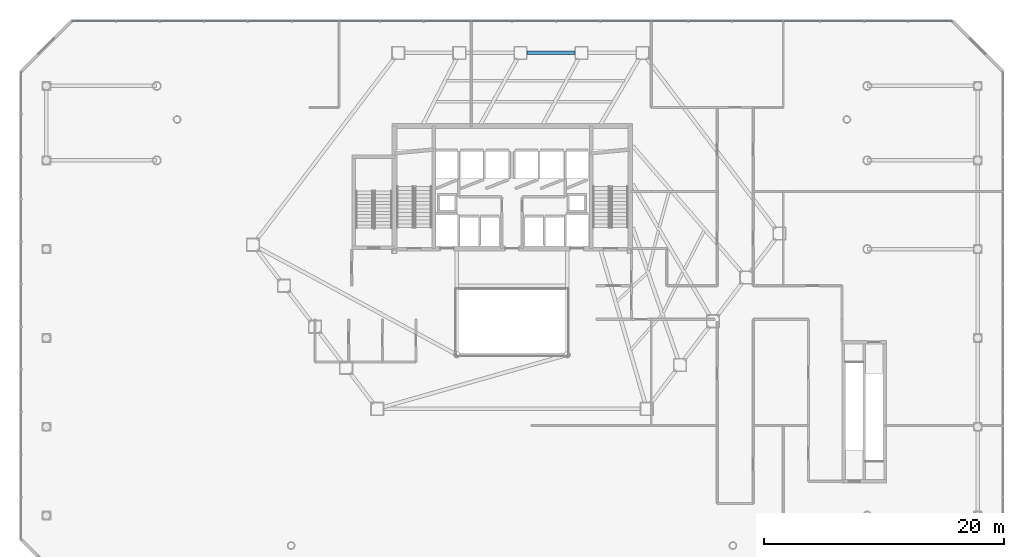
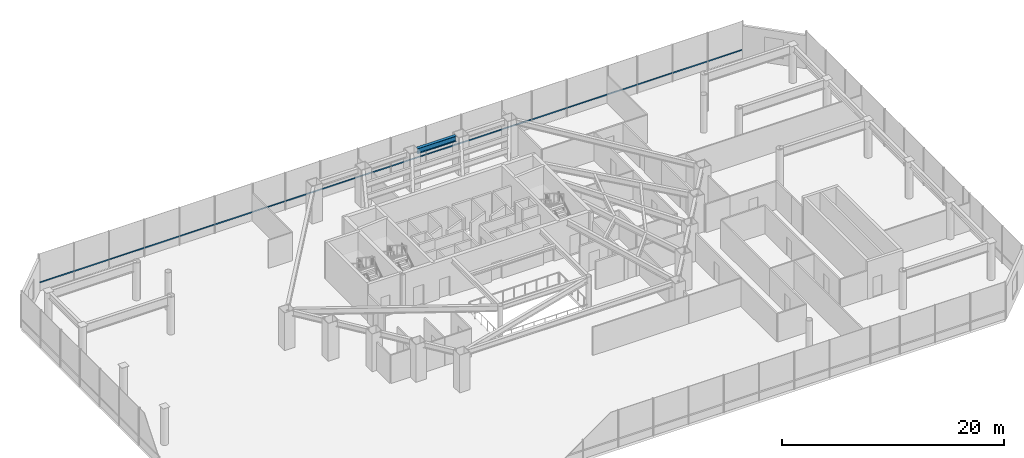
# One storey, part 24 of 43: 1 beam, 1 member, 1 element without a shape of its own.
"""IFC4 building model written with IfcOpenShell, lengths in metres."""

import ifcopenshell
import ifcopenshell.guid

model = None  # the IFC model being written
_history = None  # IfcOwnerHistory: only IFC2X3 demands one
_inside = {}  # id of a spatial element -> (the spatial element, [elements in it])
_under = {}  # id of a project, library or spatial element -> (it, [spatial elements below it])
_declared = {}  # id of a project -> (the project, [libraries it declares])
_typed = {}  # id of a type object -> (the type object, [elements of that type])
_made_of = {}  # id of a material, layer set ... -> (it, [elements and type objects made of it])


def new_model(schema):
    """Start an empty IFC model of exactly this schema.

    Asked for "IFC4X3", IfcOpenShell would pick the latest addendum, in which some entities
    have other attributes; the version numbers below select the first issue.
    IFC2X3 requires an IfcOwnerHistory on every rooted entity: one is made here for all.
    """
    global model, _history
    if schema == "IFC4X3":
        model = ifcopenshell.file(schema_version=(4, 3, 0, 0))
    else:
        model = ifcopenshell.file(schema=schema)
    _inside.clear()
    _under.clear()
    _declared.clear()
    _typed.clear()
    _made_of.clear()
    _history = None
    if model.schema == "IFC2X3":
        org = make("IfcOrganization", Name="unknown")
        user = make(
            "IfcPersonAndOrganization",
            ThePerson=make("IfcPerson", FamilyName="unknown"),
            TheOrganization=org,
        )
        app = make(
            "IfcApplication",
            ApplicationDeveloper=org,
            Version="unknown",
            ApplicationFullName="unknown",
            ApplicationIdentifier="unknown",
        )
        _history = make(
            "IfcOwnerHistory",
            OwningUser=user,
            OwningApplication=app,
            ChangeAction="ADDED",
            CreationDate=0,
        )
    return model


def make(cls, **values):
    """One entity of the class cls with the attributes given. An attribute that is None is left unset."""
    return model.create_entity(
        cls, **{name: value for name, value in values.items() if value is not None}
    )


def rooted(cls, **values):
    """An entity with a GlobalId (a new one), such as an element, a storey or a relation."""
    return make(cls, GlobalId=ifcopenshell.guid.new(), OwnerHistory=_history, **values)


def si_unit(unit_type, name, prefix=None):
    """IfcSIUnit, for example si_unit("LENGTHUNIT", "METRE", prefix="MILLI")."""
    return make("IfcSIUnit", UnitType=unit_type, Prefix=prefix, Name=name)


def assignment(units):
    """IfcUnitAssignment: the units of a project."""
    return None if units is None else make("IfcUnitAssignment", Units=units)


def point(xyz):
    """IfcCartesianPoint."""
    return None if xyz is None else make("IfcCartesianPoint", Coordinates=xyz)


def direction(xyz):
    """IfcDirection."""
    return None if xyz is None else make("IfcDirection", DirectionRatios=xyz)


def frame(location, z_axis=None, x_axis=None):
    """IfcAxis2Placement3D, a coordinate frame: its origin and axes. An axis left out is left unset."""
    return make(
        "IfcAxis2Placement3D",
        Location=point(location),
        Axis=direction(z_axis),
        RefDirection=direction(x_axis),
    )


def frame_2d(location, x_axis=None):
    """IfcAxis2Placement2D, a coordinate frame in the plane: its origin and x axis."""
    return make(
        "IfcAxis2Placement2D", Location=point(location), RefDirection=direction(x_axis)
    )


def origin():
    """The frame at (0, 0, 0) with its axes left unset."""
    return frame((0.0, 0.0, 0.0))


def origin_2d():
    """The frame at (0, 0) in the plane with its x axis left unset."""
    return frame_2d((0.0, 0.0))


def place(relative_to, where):
    """IfcLocalPlacement: puts the frame where relative to a parent placement (None: the world)."""
    return make(
        "IfcLocalPlacement", PlacementRelTo=relative_to, RelativePlacement=where
    )


def context(
    kind, dimensions, precision=None, world=None, true_north=None, identifier=None
):
    """IfcGeometricRepresentationContext, for example the 3D "Model" context."""
    return make(
        "IfcGeometricRepresentationContext",
        ContextIdentifier=identifier,
        ContextType=kind,
        CoordinateSpaceDimension=dimensions,
        Precision=precision,
        WorldCoordinateSystem=world,
        TrueNorth=true_north,
    )


def subcontext(parent, identifier, kind, view, scale=None):
    """IfcGeometricRepresentationSubContext, for example "Body" below "Model"."""
    return make(
        "IfcGeometricRepresentationSubContext",
        ContextIdentifier=identifier,
        ContextType=kind,
        ParentContext=parent,
        TargetScale=scale,
        TargetView=view,
    )


def project(units=None, contexts=None):
    """IfcProject with its units and contexts."""
    return rooted(
        "IfcProject",
        Name="project",
        RepresentationContexts=contexts,
        UnitsInContext=assignment(units),
    )


def spatial(cls, under=None, at=None, **own):
    """A site, building, storey or space (cls), placed at a placement, below another one or the project."""
    s = rooted(cls, ObjectPlacement=at, **own)
    if under is not None:
        _under.setdefault(under.id(), (under, []))[1].append(s)
    return s


def profile(cls, at=None, kind="AREA", **sizes):
    """A parametric profile (cls). Its sizes go by their IFC names, for example OverallWidth=200.0."""
    return make(cls, ProfileType=kind, Position=at, **sizes)


def hollow_rectangle(**sizes):
    """IfcRectangleHollowProfileDef."""
    return profile("IfcRectangleHollowProfileDef", **sizes)


def i_section(**sizes):
    """IfcIShapeProfileDef."""
    return profile("IfcIShapeProfileDef", **sizes)


def extrude(swept, where, along, depth):
    """IfcExtrudedAreaSolid: the profile swept, set in the frame where, extruded along a direction by depth."""
    return make(
        "IfcExtrudedAreaSolid",
        SweptArea=swept,
        Position=where,
        ExtrudedDirection=direction(along),
        Depth=depth,
    )


def shape(context_of_items, identifier, shape_type, items):
    """IfcShapeRepresentation: the items that make up one representation, for example the "Body"."""
    return make(
        "IfcShapeRepresentation",
        ContextOfItems=context_of_items,
        RepresentationIdentifier=identifier,
        RepresentationType=shape_type,
        Items=items,
    )


def material(Name=None, Category=None):
    """IfcMaterial."""
    return make("IfcMaterial", Name=Name, Category=Category)


def layer(
    of_material, thickness, ventilated=None, Name=None, Category=None, Priority=None
):
    """IfcMaterialLayer: one layer of a wall or slab, of a material (None: an air gap)."""
    return make(
        "IfcMaterialLayer",
        Material=of_material,
        LayerThickness=thickness,
        IsVentilated=ventilated,
        Name=Name,
        Category=Category,
        Priority=Priority,
    )


def layer_set(layers, Name=None):
    """IfcMaterialLayerSet."""
    return make("IfcMaterialLayerSet", MaterialLayers=layers, LayerSetName=Name)


def material_profile(
    of_material, cross_section, Name=None, Category=None, Priority=None
):
    """IfcMaterialProfile: a cross section and its material."""
    return make(
        "IfcMaterialProfile",
        Name=Name,
        Material=of_material,
        Profile=cross_section,
        Priority=Priority,
        Category=Category,
    )


def profile_set(profiles, Name=None, composite=None):
    """IfcMaterialProfileSet."""
    return make(
        "IfcMaterialProfileSet",
        Name=Name,
        MaterialProfiles=profiles,
        CompositeProfile=composite,
    )


def made_of(thing, what):
    """Note that an element or type object is made of a material, layer set ...; save() writes the relation."""
    if what is not None:
        _made_of.setdefault(what.id(), (what, []))[1].append(thing)
    return thing


def type_object(cls, material=None, **own):
    """A type object (cls), such as IfcWallType, which elements share."""
    return made_of(rooted(cls, **own), material)


def element(
    cls,
    number,
    at=None,
    inside=None,
    cuts=None,
    type_object=None,
    material=None,
    context=None,
    identifier="Body",
    shape_type=None,
    held_by="IfcProductDefinitionShape",
    body=None,
    shapes=None,
    **own,
):
    """One element of the class cls, such as IfcWall. Its Tag is "e" and its number.

    at: its placement. inside: the storey or other place that contains it. cuts: it is an
    opening in that element (IfcRelVoidsElement). A single representation is given by context,
    identifier, shape_type and body (its items); several are given by shapes. held_by: the class
    of the entity that holds the representations. save() writes the other relations.
    """
    e = rooted(cls, Tag="e%d" % number, ObjectPlacement=at, **own)
    if body is not None:
        shapes = [shape(context, identifier, shape_type, body)]
    if shapes is not None:
        e.Representation = make(held_by, Representations=shapes)
    if inside is not None:
        _inside.setdefault(inside.id(), (inside, []))[1].append(e)
    if cuts is not None:
        rooted(
            "IfcRelVoidsElement", RelatingBuildingElement=cuts, RelatedOpeningElement=e
        )
    if type_object is not None:
        _typed.setdefault(type_object.id(), (type_object, []))[1].append(e)
    return made_of(e, material)


def aggregate(whole, parts):
    """IfcRelAggregates: a whole, such as a stair, and the parts it consists of."""
    return rooted("IfcRelAggregates", RelatingObject=whole, RelatedObjects=parts)


def save(model, path):
    """Write the relations noted so far, then the file.

    IfcRelAggregates (storeys below a building ...), IfcRelContainedInSpatialStructure (elements
    in a storey), IfcRelDefinesByType, IfcRelAssociatesMaterial and IfcRelDeclares: one each for
    every whole, place, type object, material and project.
    """
    for whole, parts in _under.values():
        aggregate(whole, parts)
    for where, things in _inside.values():
        rooted(
            "IfcRelContainedInSpatialStructure",
            RelatedElements=things,
            RelatingStructure=where,
        )
    for kind, things in _typed.values():
        rooted("IfcRelDefinesByType", RelatedObjects=things, RelatingType=kind)
    for what, things in _made_of.values():
        rooted("IfcRelAssociatesMaterial", RelatedObjects=things, RelatingMaterial=what)
    for by, libraries in _declared.values():
        rooted("IfcRelDeclares", RelatingContext=by, RelatedDefinitions=libraries)
    model.write(path)


model = new_model("IFC4")

# Units and contexts
model_context = context("Model", 3, precision=1e-05, world=origin(), true_north=direction((0.0, 1.0)))
body_context = subcontext(model_context, "Body", "Model", "MODEL_VIEW")
ifc_project = project(units=[si_unit("LENGTHUNIT", "METRE"), si_unit("AREAUNIT", "SQUARE_METRE"), si_unit("VOLUMEUNIT", "CUBIC_METRE"), si_unit("PLANEANGLEUNIT", "RADIAN"), si_unit("MASSUNIT", "GRAM", prefix="KILO")], contexts=[model_context])

# Site, building, storey
site_placement = place(None, origin())
site = spatial("IfcSite", under=ifc_project, at=site_placement, CompositionType="ELEMENT")
building_placement = place(site_placement, origin())
building = spatial("IfcBuilding", under=site, at=building_placement, Name="Zarrinselat Tower", CompositionType="ELEMENT")
storey_placement = place(building_placement, frame((0.0, 0.0, 5.10009765625)))
storey = spatial("IfcBuildingStorey", under=building, at=storey_placement, Name="L01", CompositionType="ELEMENT", Elevation=5.10009765625)

# Beam
ifc_material_1 = material(Name="Steel S355J2", Category="steel")
ifc_material_profile_1 = material_profile(ifc_material_1, i_section(OverallWidth=0.300048828125, OverallDepth=0.60009765625, WebThickness=0.015380859375, FlangeThickness=0.030029296875, at=origin_2d()), Name="HEB 600")
ifc_profile_set_1 = profile_set([ifc_material_profile_1], Name="Steel S355J2")
beam_type = type_object("IfcBeamType", Name="BM-HEB600", PredefinedType="BEAM", material=ifc_profile_set_1)
beam_placement = place(storey_placement, frame((39.637939453125, 49.550048828125, 3.83984375), z_axis=(1.0, 0.0, 0.0), x_axis=(0.0, 1.0, 0.0)))
element("IfcBeam", 1, at=beam_placement, inside=storey, type_object=beam_type, Name="L01 Perimeter Spandrel Girder SP02", PredefinedType="BEAM", context=body_context, shape_type="SweptSolid", body=[
    extrude(i_section(OverallWidth=0.300048828125, OverallDepth=0.60009765625, WebThickness=0.015380859375, FlangeThickness=0.030029296875, at=origin_2d()), origin(), (0.0, 0.0, 1.0), 4.012451171875),
])

# Curtain wall, member
ifc_material_2 = material(Name="Extruded Aluminium Alloy EN AW-6063 T6", Category="aluminium")
ifc_layer = layer(ifc_material_2, 0.2099609375)
ifc_layer_set = layer_set([ifc_layer], Name="Extruded Aluminium Alloy EN AW-6063 T6")
curtain_wall_type = type_object("IfcCurtainWallType", Name="CWS-POD", PredefinedType="NOTDEFINED", material=ifc_layer_set)
curtain_wall_placement = place(storey_placement, origin())
curtain_wall = element("IfcCurtainWall", 2, at=curtain_wall_placement, inside=storey, type_object=curtain_wall_type, Name="L01 Unitised Curtain Wall CW-L01-F5", PredefinedType="NOTDEFINED")
ifc_material_3 = material(Name="Extruded Aluminium Alloy EN AW-6063 T6", Category="aluminium")
ifc_material_profile_2 = material_profile(ifc_material_3, hollow_rectangle(XDim=0.06005859375, YDim=0.139892578125, WallThickness=0.00390625, at=origin_2d()), Name="RHS 140x60x4")
ifc_profile_set_2 = profile_set([ifc_material_profile_2], Name="Extruded Aluminium Alloy EN AW-6063 T6")
member_type = type_object("IfcMemberType", Name="MEM-CW-TRN", PredefinedType="USERDEFINED", material=ifc_profile_set_2)
member_placement = place(storey_placement, frame((75.010009765625, 52.199951171875, 0.949951171875), z_axis=(-1.0, 0.0, 0.0), x_axis=(0.0, -1.0, 0.0)))
member = element("IfcMember", 3, at=member_placement, type_object=member_type, Name="CW-L01-F5 Transom 1", ObjectType="TRANSOM", PredefinedType="USERDEFINED", context=body_context, shape_type="SweptSolid", body=[
    extrude(hollow_rectangle(XDim=0.06005859375, YDim=0.139892578125, WallThickness=0.00390625, at=origin_2d()), origin(), (0.0, 0.0, 1.0), 73.219970703125),
])
aggregate(curtain_wall, [member])

save(model, "model.ifc")
